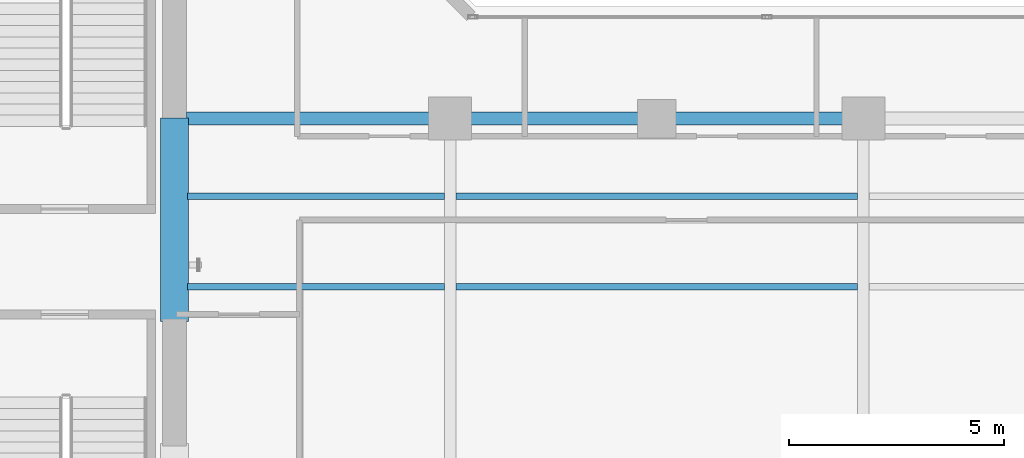
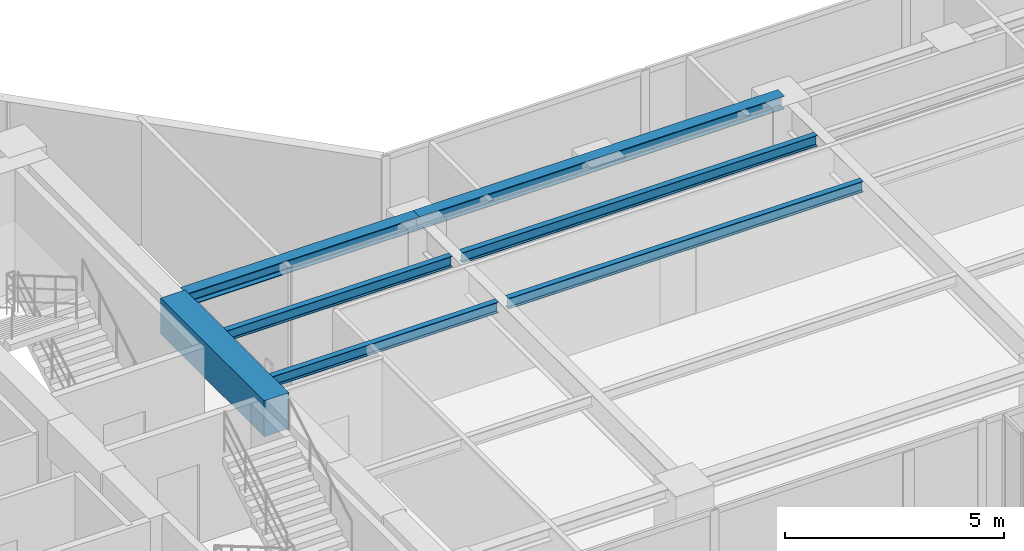
# One storey, part 6 of 24: 7 beams.
"""IFC4 building model written with IfcOpenShell, lengths in metres."""

from ifc_helpers import new_model, si_unit, direction, frame, origin, origin_2d, place, context, subcontext, project, spatial, rectangle, i_section, extrude, material, material_profile, profile_set, type_object, element, save


model = new_model("IFC4")

# Units and contexts
model_context = context("Model", 3, precision=1e-05, world=origin(), true_north=direction((0.0, 1.0)))
body_context = subcontext(model_context, "Body", "Model", "MODEL_VIEW")
ifc_project = project(units=[si_unit("LENGTHUNIT", "METRE"), si_unit("AREAUNIT", "SQUARE_METRE"), si_unit("VOLUMEUNIT", "CUBIC_METRE"), si_unit("PLANEANGLEUNIT", "RADIAN"), si_unit("MASSUNIT", "GRAM", prefix="KILO")], contexts=[model_context])

# Site, building, storey
site_placement = place(None, origin())
site = spatial("IfcSite", under=ifc_project, at=site_placement, CompositionType="ELEMENT")
building_placement = place(site_placement, origin())
building = spatial("IfcBuilding", under=site, at=building_placement, Name="Kolvaren Waterfront Exchange", CompositionType="ELEMENT")
storey_placement = place(building_placement, frame((0.0, 0.0, 253.89990234375)))
storey = spatial("IfcBuildingStorey", under=building, at=storey_placement, Name="L65", CompositionType="ELEMENT", Elevation=253.89990234375)

# Beams
ifc_material_1 = material(Name="Steel S355", Category="steel")
ifc_material_profile_1 = material_profile(ifc_material_1, i_section(OverallWidth=0.300048828125, OverallDepth=0.360107421875, WebThickness=0.012451171875, FlangeThickness=0.0224609375, FilletRadius=0.027099609375, at=origin_2d()), Name="HEB360")
ifc_profile_set_1 = profile_set([ifc_material_profile_1], Name="Steel S355")
beam_type_1 = type_object("IfcBeamType", Name="STR-BM-HEB360", PredefinedType="SPANDREL", material=ifc_profile_set_1)
beam_1_placement = place(storey_placement, frame((21.074951171875, 17.39990234375, 3.239990234375), z_axis=(1.0, 0.0, 0.0), x_axis=(0.0, 1.0, 0.0)))
element("IfcBeam", 1, at=beam_1_placement, inside=storey, type_object=beam_type_1, Name="L65 east-arm spandrel N1", PredefinedType="SPANDREL", context=body_context, shape_type="SweptSolid", body=[
    extrude(i_section(OverallWidth=0.300048828125, OverallDepth=0.360107421875, WebThickness=0.012451171875, FlangeThickness=0.0224609375, FilletRadius=0.027099609375, at=origin_2d()), origin(), (0.0, 0.0, 1.0), 6.125),
])
beam_2_placement = place(storey_placement, frame((27.199951171875, 17.39990234375, 3.239990234375), z_axis=(1.0, 0.0, 0.0), x_axis=(0.0, 1.0, 0.0)))
element("IfcBeam", 2, at=beam_2_placement, inside=storey, type_object=beam_type_1, Name="L65 east-arm spandrel N2", PredefinedType="SPANDREL", context=body_context, shape_type="SweptSolid", body=[
    extrude(i_section(OverallWidth=0.300048828125, OverallDepth=0.360107421875, WebThickness=0.012451171875, FlangeThickness=0.0224609375, FilletRadius=0.027099609375, at=origin_2d()), origin(), (0.0, 0.0, 1.0), 9.60009765625),
])
ifc_material_profile_2 = material_profile(ifc_material_1, i_section(OverallWidth=0.14990234375, OverallDepth=0.300048828125, WebThickness=0.007080078125, FlangeThickness=0.0107421875, FilletRadius=0.014892578125, at=origin_2d()), Name="IPE300")
ifc_profile_set_2 = profile_set([ifc_material_profile_2], Name="Steel S355")
beam_type_2 = type_object("IfcBeamType", Name="STR-BM-IPE300", PredefinedType="JOIST", material=ifc_profile_set_2)
for number, where, z_axis, x_axis, name in (
    (3, (21.10009765625, 13.5, 3.27001953125), (1.0, 0.0, 0.0), (0.0, 1.0, 0.0), "L65 east-arm composite joist 1A"),
    (4, (21.10009765625, 15.60009765625, 3.27001953125), (1.0, 0.0, 0.0), (0.0, 1.0, 0.0), "L65 east-arm composite joist 1C"),
):
    element("IfcBeam", number, at=place(storey_placement, frame(where, z_axis=z_axis, x_axis=x_axis)), inside=storey, type_object=beam_type_2, Name=name, PredefinedType="JOIST", context=body_context, shape_type="SweptSolid", body=[
        extrude(i_section(OverallWidth=0.14990234375, OverallDepth=0.300048828125, WebThickness=0.007080078125, FlangeThickness=0.0107421875, FilletRadius=0.014892578125, at=origin_2d()), origin(), (0.0, 0.0, 1.0), 5.96435546875),
    ])
for number, where, z_axis, x_axis, name in (
    (5, (27.33544921875, 13.5, 3.27001953125), (1.0, 0.0, 0.0), (0.0, 1.0, 0.0), "L65 east-arm composite joist 2A"),
    (6, (27.33544921875, 15.60009765625, 3.27001953125), (1.0, 0.0, 0.0), (0.0, 1.0, 0.0), "L65 east-arm composite joist 2C"),
):
    element("IfcBeam", number, at=place(storey_placement, frame(where, z_axis=z_axis, x_axis=x_axis)), inside=storey, type_object=beam_type_2, Name=name, PredefinedType="JOIST", context=body_context, shape_type="SweptSolid", body=[
        extrude(i_section(OverallWidth=0.14990234375, OverallDepth=0.300048828125, WebThickness=0.007080078125, FlangeThickness=0.0107421875, FilletRadius=0.014892578125, at=origin_2d()), origin(), (0.0, 0.0, 1.0), 9.3291015625),
    ])
ifc_material_2 = material(Name="Concrete C60/75", Category="concrete")
ifc_material_profile_3 = material_profile(ifc_material_2, rectangle(XDim=0.64990234375, YDim=1.0, at=origin_2d()), Name="RC-CB-1000x650")
ifc_profile_set_3 = profile_set([ifc_material_profile_3], Name="Concrete C60/75")
beam_type_3 = type_object("IfcBeamType", Name="STR-CB-1000", PredefinedType="SPANDREL", material=ifc_profile_set_3)
beam_3_placement = place(storey_placement, frame((20.800048828125, 12.68994140625, 2.920166015625), z_axis=(0.0, 1.0, 0.0), x_axis=(-1.0, 0.0, 0.0)))
element("IfcBeam", 7, at=beam_3_placement, inside=storey, type_object=beam_type_3, Name="L65 core coupling beam 2", PredefinedType="SPANDREL", context=body_context, shape_type="SweptSolid", body=[
    extrude(rectangle(XDim=0.64990234375, YDim=1.0, at=origin_2d()), origin(), (0.0, 0.0, 1.0), 4.719970703125),
])

save(model, "model.ifc")
